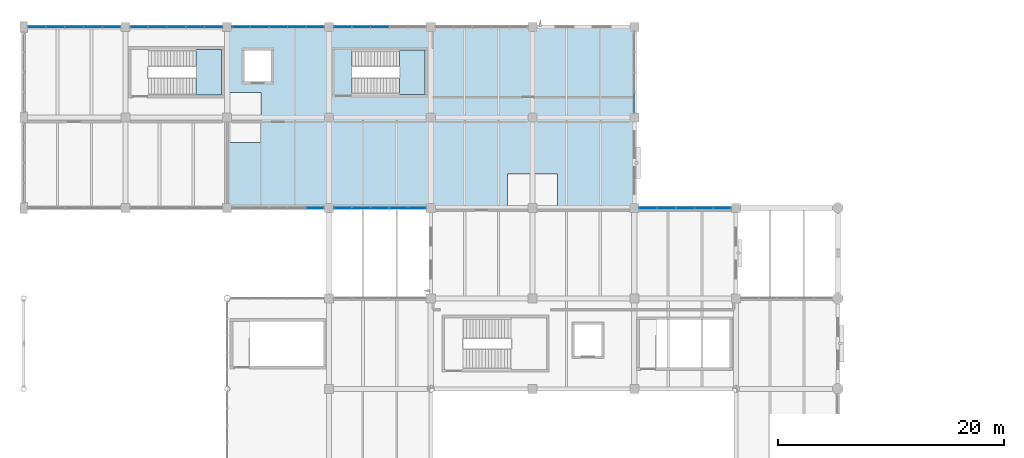
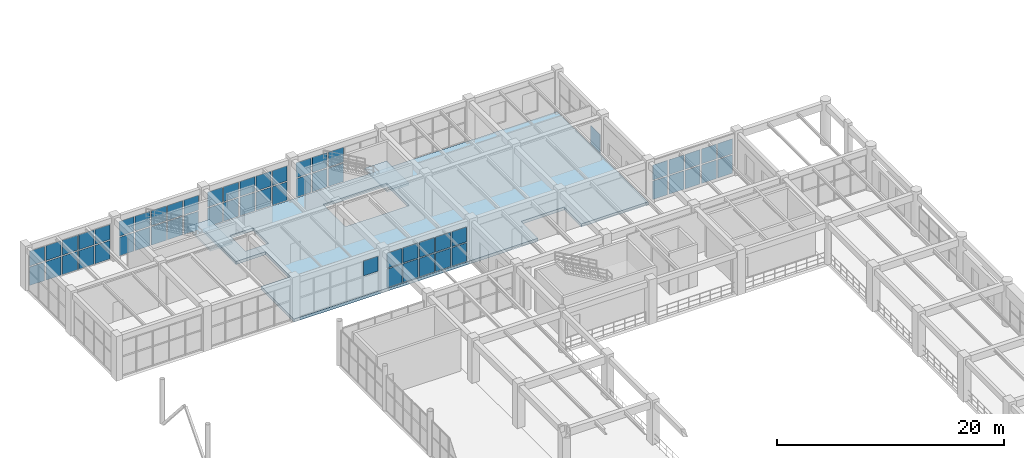
# One storey, part 146 of 178: 58 plates, 3 slabs, 10 elements without a shape of their own.
"""IFC4 building model written with IfcOpenShell, lengths in metres."""

from ifc_helpers import new_model, si_unit, derived_unit, direction, frame, origin, origin_2d, place, context, subcontext, project, spatial, polyline, rectangle, outline, extrude, material, layer, layer_set, type_object, element, aggregate, save


model = new_model("IFC4")

# Units and contexts
model_context = context("Model", 3, precision=1e-05, world=origin(), true_north=direction((0.0, 1.0)))
body_context = subcontext(model_context, "Body", "Model", "MODEL_VIEW")
ifc_project = project(units=[si_unit("LENGTHUNIT", "METRE"), si_unit("AREAUNIT", "SQUARE_METRE"), si_unit("VOLUMEUNIT", "CUBIC_METRE"), si_unit("PLANEANGLEUNIT", "RADIAN"), si_unit("MASSUNIT", "GRAM", prefix="KILO"), derived_unit("THERMALTRANSMITTANCEUNIT", [(si_unit("MASSUNIT", "GRAM", prefix="KILO"), 1), (si_unit("TIMEUNIT", "SECOND"), -3), (si_unit("THERMODYNAMICTEMPERATUREUNIT", "KELVIN"), -1)])], contexts=[model_context])

# Site, building, storey
site_placement = place(None, origin())
site = spatial("IfcSite", under=ifc_project, at=site_placement, CompositionType="ELEMENT")
building_placement = place(site_placement, origin())
building = spatial("IfcBuilding", under=site, at=building_placement, Name="Zhenchuan Archway Interchange", CompositionType="ELEMENT")
storey_placement = place(building_placement, frame((0.0, 0.0, 5.39990234375)))
storey = spatial("IfcBuildingStorey", under=building, at=storey_placement, Name="L01", CompositionType="ELEMENT", Elevation=5.39990234375)

# Curtain wall, plates
ifc_material_1 = material(Name="Anodised Aluminium", Category="aluminium")
curtain_wall_type_1 = type_object("IfcCurtainWallType", Name="CW_UNIT_4", PredefinedType="NOTDEFINED", material=ifc_material_1)
curtain_wall_1_placement = place(storey_placement, origin())
curtain_wall_1 = element("IfcCurtainWall", 1, at=curtain_wall_1_placement, inside=storey, type_object=curtain_wall_type_1, Name="Unitised curtain wall CW:L01:039", PredefinedType="NOTDEFINED")
ifc_material_2 = material(Name="Double Low-E Insulated Glazing", Category="glass")
ifc_layer_1 = layer(ifc_material_2, 0.028076171875)
ifc_layer_set_1 = layer_set([ifc_layer_1], Name="Double Low-E Insulated Glazing")
plate_type_1 = type_object("IfcPlateType", Name="CW_GLZ_1", PredefinedType="CURTAIN_PANEL", material=ifc_layer_set_1)
plate_1_placement = place(storey_placement, frame((34.795654296875, 96.0, 0.080078125), z_axis=(0.0, 0.0, 1.0), x_axis=(-1.0, 0.0, 0.0)))
plate_1 = element("IfcPlate", 2, at=plate_1_placement, type_object=plate_type_1, Name="CW:L01:039 lower glazing panel 0", PredefinedType="CURTAIN_PANEL", context=body_context, shape_type="SweptSolid", body=[
    extrude(rectangle(XDim=1.492919921875, YDim=0.028076171875, at=origin_2d()), origin(), (0.0, 0.0, 1.0), 1.98291015625),
])
plate_2_placement = place(storey_placement, frame((33.15283203125, 96.0, 0.080078125), z_axis=(0.0, 0.0, 1.0), x_axis=(-1.0, 0.0, 0.0)))
plate_2 = element("IfcPlate", 3, at=plate_2_placement, type_object=plate_type_1, Name="CW:L01:039 lower glazing panel 1", PredefinedType="CURTAIN_PANEL", context=body_context, shape_type="SweptSolid", body=[
    extrude(rectangle(XDim=1.5126953125, YDim=0.028076171875, at=origin_2d()), origin(), (0.0, 0.0, 1.0), 1.98291015625),
])
plate_3_placement = place(storey_placement, frame((31.5, 96.0, 0.080078125), z_axis=(0.0, 0.0, 1.0), x_axis=(-1.0, 0.0, 0.0)))
plate_3 = element("IfcPlate", 4, at=plate_3_placement, type_object=plate_type_1, Name="CW:L01:039 lower glazing panel 2", PredefinedType="CURTAIN_PANEL", context=body_context, shape_type="SweptSolid", body=[
    extrude(rectangle(XDim=1.5126953125, YDim=0.028076171875, at=origin_2d()), origin(), (0.0, 0.0, 1.0), 1.98291015625),
])
plate_4_placement = place(storey_placement, frame((29.84716796875, 96.0, 0.080078125), z_axis=(0.0, 0.0, 1.0), x_axis=(-1.0, 0.0, 0.0)))
plate_4 = element("IfcPlate", 5, at=plate_4_placement, type_object=plate_type_1, Name="CW:L01:039 lower glazing panel 3", PredefinedType="CURTAIN_PANEL", context=body_context, shape_type="SweptSolid", body=[
    extrude(rectangle(XDim=1.5126953125, YDim=0.028076171875, at=origin_2d()), origin(), (0.0, 0.0, 1.0), 1.98291015625),
])
plate_5_placement = place(storey_placement, frame((28.204345703125, 96.0, 0.080078125), z_axis=(0.0, 0.0, 1.0), x_axis=(-1.0, 0.0, 0.0)))
plate_5 = element("IfcPlate", 6, at=plate_5_placement, type_object=plate_type_1, Name="CW:L01:039 lower glazing panel 4", PredefinedType="CURTAIN_PANEL", context=body_context, shape_type="SweptSolid", body=[
    extrude(rectangle(XDim=1.492919921875, YDim=0.028076171875, at=origin_2d()), origin(), (0.0, 0.0, 1.0), 1.98291015625),
])

curtain_wall_type_2 = type_object("IfcCurtainWallType", Name="CW_UNIT_2", PredefinedType="NOTDEFINED", material=ifc_material_1)
curtain_wall_2_placement = place(storey_placement, origin())
curtain_wall_2 = element("IfcCurtainWall", 7, at=curtain_wall_2_placement, inside=storey, type_object=curtain_wall_type_2, Name="Unitised curtain wall CW:L01:045", PredefinedType="NOTDEFINED")
plate_6_placement = place(storey_placement, frame((1.136962890625, 112.0, 0.080078125), z_axis=(0.0, 0.0, 1.0), x_axis=(1.0, 0.0, 0.0)))
plate_6 = element("IfcPlate", 8, at=plate_6_placement, type_object=plate_type_1, Name="CW:L01:045 lower glazing panel 0", PredefinedType="CURTAIN_PANEL", context=body_context, shape_type="SweptSolid", body=[
    extrude(rectangle(XDim=1.5078125, YDim=0.028076171875, at=origin_2d()), origin(), (0.0, 0.0, 1.0), 1.98291015625),
])
plate_7_placement = place(storey_placement, frame((2.794677734375, 112.0, 0.080078125), z_axis=(0.0, 0.0, 1.0), x_axis=(1.0, 0.0, 0.0)))
plate_7 = element("IfcPlate", 9, at=plate_7_placement, type_object=plate_type_1, Name="CW:L01:045 lower glazing panel 1", PredefinedType="CURTAIN_PANEL", context=body_context, shape_type="SweptSolid", body=[
    extrude(rectangle(XDim=1.52783203125, YDim=0.028076171875, at=origin_2d()), origin(), (0.0, 0.0, 1.0), 1.98291015625),
])
plate_8_placement = place(storey_placement, frame((4.46240234375, 112.0, 0.080078125), z_axis=(0.0, 0.0, 1.0), x_axis=(1.0, 0.0, 0.0)))
plate_8 = element("IfcPlate", 10, at=plate_8_placement, type_object=plate_type_1, Name="CW:L01:045 lower glazing panel 2", PredefinedType="CURTAIN_PANEL", context=body_context, shape_type="SweptSolid", body=[
    extrude(rectangle(XDim=1.52783203125, YDim=0.028076171875, at=origin_2d()), origin(), (0.0, 0.0, 1.0), 1.98291015625),
])
plate_9_placement = place(storey_placement, frame((6.13037109375, 112.0, 0.080078125), z_axis=(0.0, 0.0, 1.0), x_axis=(1.0, 0.0, 0.0)))
plate_9 = element("IfcPlate", 11, at=plate_9_placement, type_object=plate_type_1, Name="CW:L01:045 lower glazing panel 3", PredefinedType="CURTAIN_PANEL", context=body_context, shape_type="SweptSolid", body=[
    extrude(rectangle(XDim=1.52783203125, YDim=0.028076171875, at=origin_2d()), origin(), (0.0, 0.0, 1.0), 1.98291015625),
])
plate_10_placement = place(storey_placement, frame((7.7880859375, 112.0, 0.080078125), z_axis=(0.0, 0.0, 1.0), x_axis=(1.0, 0.0, 0.0)))
plate_10 = element("IfcPlate", 12, at=plate_10_placement, type_object=plate_type_1, Name="CW:L01:045 lower glazing panel 4", PredefinedType="CURTAIN_PANEL", context=body_context, shape_type="SweptSolid", body=[
    extrude(rectangle(XDim=1.5078125, YDim=0.028076171875, at=origin_2d()), origin(), (0.0, 0.0, 1.0), 1.98291015625),
])

curtain_wall_type_3 = type_object("IfcCurtainWallType", Name="CW_UNIT_3", PredefinedType="NOTDEFINED", material=ifc_material_1)
curtain_wall_3_placement = place(storey_placement, origin())
curtain_wall_3 = element("IfcCurtainWall", 13, at=curtain_wall_3_placement, inside=storey, type_object=curtain_wall_type_3, Name="Unitised curtain wall CW:L01:046", PredefinedType="NOTDEFINED")
plate_11_placement = place(storey_placement, frame((10.204345703125, 112.0, 0.080078125), z_axis=(0.0, 0.0, 1.0), x_axis=(1.0, 0.0, 0.0)))
plate_11 = element("IfcPlate", 14, at=plate_11_placement, type_object=plate_type_1, Name="CW:L01:046 lower glazing panel 0", PredefinedType="CURTAIN_PANEL", context=body_context, shape_type="SweptSolid", body=[
    extrude(rectangle(XDim=1.492919921875, YDim=0.028076171875, at=origin_2d()), origin(), (0.0, 0.0, 1.0), 1.98291015625),
])
plate_12_placement = place(storey_placement, frame((11.84716796875, 112.0, 0.080078125), z_axis=(0.0, 0.0, 1.0), x_axis=(1.0, 0.0, 0.0)))
plate_12 = element("IfcPlate", 15, at=plate_12_placement, type_object=plate_type_1, Name="CW:L01:046 lower glazing panel 1", PredefinedType="CURTAIN_PANEL", context=body_context, shape_type="SweptSolid", body=[
    extrude(rectangle(XDim=1.5126953125, YDim=0.028076171875, at=origin_2d()), origin(), (0.0, 0.0, 1.0), 1.98291015625),
])
plate_13_placement = place(storey_placement, frame((13.5, 112.0, 0.080078125), z_axis=(0.0, 0.0, 1.0), x_axis=(1.0, 0.0, 0.0)))
plate_13 = element("IfcPlate", 16, at=plate_13_placement, type_object=plate_type_1, Name="CW:L01:046 lower glazing panel 2", PredefinedType="CURTAIN_PANEL", context=body_context, shape_type="SweptSolid", body=[
    extrude(rectangle(XDim=1.5126953125, YDim=0.028076171875, at=origin_2d()), origin(), (0.0, 0.0, 1.0), 1.98291015625),
])
plate_14_placement = place(storey_placement, frame((15.15283203125, 112.0, 0.080078125), z_axis=(0.0, 0.0, 1.0), x_axis=(1.0, 0.0, 0.0)))
plate_14 = element("IfcPlate", 17, at=plate_14_placement, type_object=plate_type_1, Name="CW:L01:046 lower glazing panel 3", PredefinedType="CURTAIN_PANEL", context=body_context, shape_type="SweptSolid", body=[
    extrude(rectangle(XDim=1.5126953125, YDim=0.028076171875, at=origin_2d()), origin(), (0.0, 0.0, 1.0), 1.98291015625),
])
plate_15_placement = place(storey_placement, frame((16.795654296875, 112.0, 0.080078125), z_axis=(0.0, 0.0, 1.0), x_axis=(1.0, 0.0, 0.0)))
plate_15 = element("IfcPlate", 18, at=plate_15_placement, type_object=plate_type_1, Name="CW:L01:046 lower glazing panel 4", PredefinedType="CURTAIN_PANEL", context=body_context, shape_type="SweptSolid", body=[
    extrude(rectangle(XDim=1.492919921875, YDim=0.028076171875, at=origin_2d()), origin(), (0.0, 0.0, 1.0), 1.98291015625),
])

curtain_wall_4_placement = place(storey_placement, origin())
curtain_wall_4 = element("IfcCurtainWall", 19, at=curtain_wall_4_placement, inside=storey, type_object=curtain_wall_type_1, Name="Unitised curtain wall CW:L01:047", PredefinedType="NOTDEFINED")
plate_16_placement = place(storey_placement, frame((19.204345703125, 112.0, 0.080078125), z_axis=(0.0, 0.0, 1.0), x_axis=(1.0, 0.0, 0.0)))
plate_16 = element("IfcPlate", 20, at=plate_16_placement, type_object=plate_type_1, Name="CW:L01:047 lower glazing panel 0", PredefinedType="CURTAIN_PANEL", context=body_context, shape_type="SweptSolid", body=[
    extrude(rectangle(XDim=1.492919921875, YDim=0.028076171875, at=origin_2d()), origin(), (0.0, 0.0, 1.0), 1.98291015625),
])
plate_17_placement = place(storey_placement, frame((20.84716796875, 112.0, 0.080078125), z_axis=(0.0, 0.0, 1.0), x_axis=(1.0, 0.0, 0.0)))
plate_17 = element("IfcPlate", 21, at=plate_17_placement, type_object=plate_type_1, Name="CW:L01:047 lower glazing panel 1", PredefinedType="CURTAIN_PANEL", context=body_context, shape_type="SweptSolid", body=[
    extrude(rectangle(XDim=1.5126953125, YDim=0.028076171875, at=origin_2d()), origin(), (0.0, 0.0, 1.0), 1.98291015625),
])
plate_18_placement = place(storey_placement, frame((22.5, 112.0, 0.080078125), z_axis=(0.0, 0.0, 1.0), x_axis=(1.0, 0.0, 0.0)))
plate_18 = element("IfcPlate", 22, at=plate_18_placement, type_object=plate_type_1, Name="CW:L01:047 lower glazing panel 2", PredefinedType="CURTAIN_PANEL", context=body_context, shape_type="SweptSolid", body=[
    extrude(rectangle(XDim=1.5126953125, YDim=0.028076171875, at=origin_2d()), origin(), (0.0, 0.0, 1.0), 1.98291015625),
])
plate_19_placement = place(storey_placement, frame((24.15283203125, 112.0, 0.080078125), z_axis=(0.0, 0.0, 1.0), x_axis=(1.0, 0.0, 0.0)))
plate_19 = element("IfcPlate", 23, at=plate_19_placement, type_object=plate_type_1, Name="CW:L01:047 lower glazing panel 3", PredefinedType="CURTAIN_PANEL", context=body_context, shape_type="SweptSolid", body=[
    extrude(rectangle(XDim=1.5126953125, YDim=0.028076171875, at=origin_2d()), origin(), (0.0, 0.0, 1.0), 1.98291015625),
])
plate_20_placement = place(storey_placement, frame((25.795654296875, 112.0, 0.080078125), z_axis=(0.0, 0.0, 1.0), x_axis=(1.0, 0.0, 0.0)))
plate_20 = element("IfcPlate", 24, at=plate_20_placement, type_object=plate_type_1, Name="CW:L01:047 lower glazing panel 4", PredefinedType="CURTAIN_PANEL", context=body_context, shape_type="SweptSolid", body=[
    extrude(rectangle(XDim=1.492919921875, YDim=0.028076171875, at=origin_2d()), origin(), (0.0, 0.0, 1.0), 1.98291015625),
])

curtain_wall_type_4 = type_object("IfcCurtainWallType", Name="CW_UNIT_1", PredefinedType="NOTDEFINED", material=ifc_material_1)
curtain_wall_5_placement = place(storey_placement, origin())
curtain_wall_5 = element("IfcCurtainWall", 25, at=curtain_wall_5_placement, inside=storey, type_object=curtain_wall_type_4, Name="Unitised curtain wall CW:L01:048", PredefinedType="NOTDEFINED")
plate_21_placement = place(storey_placement, frame((28.204345703125, 112.0, 0.080078125), z_axis=(0.0, 0.0, 1.0), x_axis=(1.0, 0.0, 0.0)))
plate_21 = element("IfcPlate", 26, at=plate_21_placement, type_object=plate_type_1, Name="CW:L01:048 lower glazing panel 0", PredefinedType="CURTAIN_PANEL", context=body_context, shape_type="SweptSolid", body=[
    extrude(rectangle(XDim=1.492919921875, YDim=0.028076171875, at=origin_2d()), origin(), (0.0, 0.0, 1.0), 1.98291015625),
])
plate_22_placement = place(storey_placement, frame((29.84716796875, 112.0, 0.080078125), z_axis=(0.0, 0.0, 1.0), x_axis=(1.0, 0.0, 0.0)))
plate_22 = element("IfcPlate", 27, at=plate_22_placement, type_object=plate_type_1, Name="CW:L01:048 lower glazing panel 1", PredefinedType="CURTAIN_PANEL", context=body_context, shape_type="SweptSolid", body=[
    extrude(rectangle(XDim=1.5126953125, YDim=0.028076171875, at=origin_2d()), origin(), (0.0, 0.0, 1.0), 1.98291015625),
])
plate_23_placement = place(storey_placement, frame((31.5, 112.0, 0.080078125), z_axis=(0.0, 0.0, 1.0), x_axis=(1.0, 0.0, 0.0)))
plate_23 = element("IfcPlate", 28, at=plate_23_placement, type_object=plate_type_1, Name="CW:L01:048 lower glazing panel 2", PredefinedType="CURTAIN_PANEL", context=body_context, shape_type="SweptSolid", body=[
    extrude(rectangle(XDim=1.5126953125, YDim=0.028076171875, at=origin_2d()), origin(), (0.0, 0.0, 1.0), 1.98291015625),
])

curtain_wall_6_placement = place(storey_placement, origin())
curtain_wall_6 = element("IfcCurtainWall", 29, at=curtain_wall_6_placement, inside=storey, type_object=curtain_wall_type_1, Name="Unitised curtain wall CW:L01:051", PredefinedType="NOTDEFINED")
plate_24_placement = place(storey_placement, frame((55.204345703125, 96.0, 0.080078125), z_axis=(0.0, 0.0, 1.0), x_axis=(1.0, 0.0, 0.0)))
plate_24 = element("IfcPlate", 30, at=plate_24_placement, type_object=plate_type_1, Name="CW:L01:051 lower glazing panel 0", PredefinedType="CURTAIN_PANEL", context=body_context, shape_type="SweptSolid", body=[
    extrude(rectangle(XDim=1.492919921875, YDim=0.028076171875, at=origin_2d()), origin(), (0.0, 0.0, 1.0), 1.98291015625),
])
plate_25_placement = place(storey_placement, frame((56.84716796875, 96.0, 0.080078125), z_axis=(0.0, 0.0, 1.0), x_axis=(1.0, 0.0, 0.0)))
plate_25 = element("IfcPlate", 31, at=plate_25_placement, type_object=plate_type_1, Name="CW:L01:051 lower glazing panel 1", PredefinedType="CURTAIN_PANEL", context=body_context, shape_type="SweptSolid", body=[
    extrude(rectangle(XDim=1.5126953125, YDim=0.028076171875, at=origin_2d()), origin(), (0.0, 0.0, 1.0), 1.98291015625),
])
plate_26_placement = place(storey_placement, frame((58.5, 96.0, 0.080078125), z_axis=(0.0, 0.0, 1.0), x_axis=(1.0, 0.0, 0.0)))
plate_26 = element("IfcPlate", 32, at=plate_26_placement, type_object=plate_type_1, Name="CW:L01:051 lower glazing panel 2", PredefinedType="CURTAIN_PANEL", context=body_context, shape_type="SweptSolid", body=[
    extrude(rectangle(XDim=1.5126953125, YDim=0.028076171875, at=origin_2d()), origin(), (0.0, 0.0, 1.0), 1.98291015625),
])
plate_27_placement = place(storey_placement, frame((60.15283203125, 96.0, 0.080078125), z_axis=(0.0, 0.0, 1.0), x_axis=(1.0, 0.0, 0.0)))
plate_27 = element("IfcPlate", 33, at=plate_27_placement, type_object=plate_type_1, Name="CW:L01:051 lower glazing panel 3", PredefinedType="CURTAIN_PANEL", context=body_context, shape_type="SweptSolid", body=[
    extrude(rectangle(XDim=1.5126953125, YDim=0.028076171875, at=origin_2d()), origin(), (0.0, 0.0, 1.0), 1.98291015625),
])
plate_28_placement = place(storey_placement, frame((61.795654296875, 96.0, 0.080078125), z_axis=(0.0, 0.0, 1.0), x_axis=(1.0, 0.0, 0.0)))
plate_28 = element("IfcPlate", 34, at=plate_28_placement, type_object=plate_type_1, Name="CW:L01:051 lower glazing panel 4", PredefinedType="CURTAIN_PANEL", context=body_context, shape_type="SweptSolid", body=[
    extrude(rectangle(XDim=1.492919921875, YDim=0.028076171875, at=origin_2d()), origin(), (0.0, 0.0, 1.0), 1.98291015625),
])

# Plate
ifc_layer_2 = layer(ifc_material_2, 0.02587890625)
ifc_layer_set_2 = layer_set([ifc_layer_2], Name="Double Low-E Insulated Glazing")
plate_type_2 = type_object("IfcPlateType", Name="CW_GLZ_2", PredefinedType="CURTAIN_PANEL", material=ifc_layer_set_2)
plate_29_placement = place(storey_placement, frame((34.795654296875, 96.0, 2.18310546875), z_axis=(0.0, 0.0, 1.0), x_axis=(-1.0, 0.0, 0.0)))
plate_29 = element("IfcPlate", 35, at=plate_29_placement, type_object=plate_type_2, Name="CW:L01:039 upper glazing panel 0", PredefinedType="CURTAIN_PANEL", context=body_context, shape_type="SweptSolid", body=[
    extrude(rectangle(XDim=1.492919921875, YDim=0.02587890625, at=origin_2d()), origin(), (0.0, 0.0, 1.0), 1.596923828125),
])

plate_30_placement = place(storey_placement, frame((33.15283203125, 96.0, 2.18310546875), z_axis=(0.0, 0.0, 1.0), x_axis=(-1.0, 0.0, 0.0)))
plate_30 = element("IfcPlate", 36, at=plate_30_placement, type_object=plate_type_2, Name="CW:L01:039 upper glazing panel 1", PredefinedType="CURTAIN_PANEL", context=body_context, shape_type="SweptSolid", body=[
    extrude(rectangle(XDim=1.5126953125, YDim=0.02587890625, at=origin_2d()), origin(), (0.0, 0.0, 1.0), 1.596923828125),
])

plate_31_placement = place(storey_placement, frame((31.5, 96.0, 2.18310546875), z_axis=(0.0, 0.0, 1.0), x_axis=(-1.0, 0.0, 0.0)))
plate_31 = element("IfcPlate", 37, at=plate_31_placement, type_object=plate_type_2, Name="CW:L01:039 upper glazing panel 2", PredefinedType="CURTAIN_PANEL", context=body_context, shape_type="SweptSolid", body=[
    extrude(rectangle(XDim=1.5126953125, YDim=0.02587890625, at=origin_2d()), origin(), (0.0, 0.0, 1.0), 1.596923828125),
])

plate_32_placement = place(storey_placement, frame((29.84716796875, 96.0, 2.18310546875), z_axis=(0.0, 0.0, 1.0), x_axis=(-1.0, 0.0, 0.0)))
plate_32 = element("IfcPlate", 38, at=plate_32_placement, type_object=plate_type_2, Name="CW:L01:039 upper glazing panel 3", PredefinedType="CURTAIN_PANEL", context=body_context, shape_type="SweptSolid", body=[
    extrude(rectangle(XDim=1.5126953125, YDim=0.02587890625, at=origin_2d()), origin(), (0.0, 0.0, 1.0), 1.596923828125),
])

plate_33_placement = place(storey_placement, frame((28.204345703125, 96.0, 2.18310546875), z_axis=(0.0, 0.0, 1.0), x_axis=(-1.0, 0.0, 0.0)))
plate_33 = element("IfcPlate", 39, at=plate_33_placement, type_object=plate_type_2, Name="CW:L01:039 upper glazing panel 4", PredefinedType="CURTAIN_PANEL", context=body_context, shape_type="SweptSolid", body=[
    extrude(rectangle(XDim=1.492919921875, YDim=0.02587890625, at=origin_2d()), origin(), (0.0, 0.0, 1.0), 1.596923828125),
])

aggregate(curtain_wall_1, [plate_1, plate_29, plate_2, plate_30, plate_3, plate_31, plate_4, plate_32, plate_5, plate_33])

# Curtain wall, plate
curtain_wall_7_placement = place(storey_placement, origin())
curtain_wall_7 = element("IfcCurtainWall", 40, at=curtain_wall_7_placement, inside=storey, type_object=curtain_wall_type_4, Name="Unitised curtain wall CW:L01:040", PredefinedType="NOTDEFINED")
plate_34_placement = place(storey_placement, frame((25.795654296875, 96.0, 2.18310546875), z_axis=(0.0, 0.0, 1.0), x_axis=(-1.0, 0.0, 0.0)))
plate_34 = element("IfcPlate", 41, at=plate_34_placement, type_object=plate_type_2, Name="CW:L01:040 upper glazing panel 0", PredefinedType="CURTAIN_PANEL", context=body_context, shape_type="SweptSolid", body=[
    extrude(rectangle(XDim=1.492919921875, YDim=0.02587890625, at=origin_2d()), origin(), (0.0, 0.0, 1.0), 1.596923828125),
])
aggregate(curtain_wall_7, [plate_34])

# Plate
plate_35_placement = place(storey_placement, frame((1.136962890625, 112.0, 2.18310546875), z_axis=(0.0, 0.0, 1.0), x_axis=(1.0, 0.0, 0.0)))
plate_35 = element("IfcPlate", 42, at=plate_35_placement, type_object=plate_type_2, Name="CW:L01:045 upper glazing panel 0", PredefinedType="CURTAIN_PANEL", context=body_context, shape_type="SweptSolid", body=[
    extrude(rectangle(XDim=1.5078125, YDim=0.02587890625, at=origin_2d()), origin(), (0.0, 0.0, 1.0), 1.596923828125),
])

plate_36_placement = place(storey_placement, frame((2.794677734375, 112.0, 2.18310546875), z_axis=(0.0, 0.0, 1.0), x_axis=(1.0, 0.0, 0.0)))
plate_36 = element("IfcPlate", 43, at=plate_36_placement, type_object=plate_type_2, Name="CW:L01:045 upper glazing panel 1", PredefinedType="CURTAIN_PANEL", context=body_context, shape_type="SweptSolid", body=[
    extrude(rectangle(XDim=1.52783203125, YDim=0.02587890625, at=origin_2d()), origin(), (0.0, 0.0, 1.0), 1.596923828125),
])

plate_37_placement = place(storey_placement, frame((4.46240234375, 112.0, 2.18310546875), z_axis=(0.0, 0.0, 1.0), x_axis=(1.0, 0.0, 0.0)))
plate_37 = element("IfcPlate", 44, at=plate_37_placement, type_object=plate_type_2, Name="CW:L01:045 upper glazing panel 2", PredefinedType="CURTAIN_PANEL", context=body_context, shape_type="SweptSolid", body=[
    extrude(rectangle(XDim=1.52783203125, YDim=0.02587890625, at=origin_2d()), origin(), (0.0, 0.0, 1.0), 1.596923828125),
])

plate_38_placement = place(storey_placement, frame((6.13037109375, 112.0, 2.18310546875), z_axis=(0.0, 0.0, 1.0), x_axis=(1.0, 0.0, 0.0)))
plate_38 = element("IfcPlate", 45, at=plate_38_placement, type_object=plate_type_2, Name="CW:L01:045 upper glazing panel 3", PredefinedType="CURTAIN_PANEL", context=body_context, shape_type="SweptSolid", body=[
    extrude(rectangle(XDim=1.52783203125, YDim=0.02587890625, at=origin_2d()), origin(), (0.0, 0.0, 1.0), 1.596923828125),
])

plate_39_placement = place(storey_placement, frame((7.7880859375, 112.0, 2.18310546875), z_axis=(0.0, 0.0, 1.0), x_axis=(1.0, 0.0, 0.0)))
plate_39 = element("IfcPlate", 46, at=plate_39_placement, type_object=plate_type_2, Name="CW:L01:045 upper glazing panel 4", PredefinedType="CURTAIN_PANEL", context=body_context, shape_type="SweptSolid", body=[
    extrude(rectangle(XDim=1.5078125, YDim=0.02587890625, at=origin_2d()), origin(), (0.0, 0.0, 1.0), 1.596923828125),
])

aggregate(curtain_wall_2, [plate_6, plate_35, plate_7, plate_36, plate_8, plate_37, plate_9, plate_38, plate_10, plate_39])

plate_40_placement = place(storey_placement, frame((10.204345703125, 112.0, 2.18310546875), z_axis=(0.0, 0.0, 1.0), x_axis=(1.0, 0.0, 0.0)))
plate_40 = element("IfcPlate", 47, at=plate_40_placement, type_object=plate_type_2, Name="CW:L01:046 upper glazing panel 0", PredefinedType="CURTAIN_PANEL", context=body_context, shape_type="SweptSolid", body=[
    extrude(rectangle(XDim=1.492919921875, YDim=0.02587890625, at=origin_2d()), origin(), (0.0, 0.0, 1.0), 1.596923828125),
])

plate_41_placement = place(storey_placement, frame((11.84716796875, 112.0, 2.18310546875), z_axis=(0.0, 0.0, 1.0), x_axis=(1.0, 0.0, 0.0)))
plate_41 = element("IfcPlate", 48, at=plate_41_placement, type_object=plate_type_2, Name="CW:L01:046 upper glazing panel 1", PredefinedType="CURTAIN_PANEL", context=body_context, shape_type="SweptSolid", body=[
    extrude(rectangle(XDim=1.5126953125, YDim=0.02587890625, at=origin_2d()), origin(), (0.0, 0.0, 1.0), 1.596923828125),
])

plate_42_placement = place(storey_placement, frame((13.5, 112.0, 2.18310546875), z_axis=(0.0, 0.0, 1.0), x_axis=(1.0, 0.0, 0.0)))
plate_42 = element("IfcPlate", 49, at=plate_42_placement, type_object=plate_type_2, Name="CW:L01:046 upper glazing panel 2", PredefinedType="CURTAIN_PANEL", context=body_context, shape_type="SweptSolid", body=[
    extrude(rectangle(XDim=1.5126953125, YDim=0.02587890625, at=origin_2d()), origin(), (0.0, 0.0, 1.0), 1.596923828125),
])

plate_43_placement = place(storey_placement, frame((15.15283203125, 112.0, 2.18310546875), z_axis=(0.0, 0.0, 1.0), x_axis=(1.0, 0.0, 0.0)))
plate_43 = element("IfcPlate", 50, at=plate_43_placement, type_object=plate_type_2, Name="CW:L01:046 upper glazing panel 3", PredefinedType="CURTAIN_PANEL", context=body_context, shape_type="SweptSolid", body=[
    extrude(rectangle(XDim=1.5126953125, YDim=0.02587890625, at=origin_2d()), origin(), (0.0, 0.0, 1.0), 1.596923828125),
])

plate_44_placement = place(storey_placement, frame((16.795654296875, 112.0, 2.18310546875), z_axis=(0.0, 0.0, 1.0), x_axis=(1.0, 0.0, 0.0)))
plate_44 = element("IfcPlate", 51, at=plate_44_placement, type_object=plate_type_2, Name="CW:L01:046 upper glazing panel 4", PredefinedType="CURTAIN_PANEL", context=body_context, shape_type="SweptSolid", body=[
    extrude(rectangle(XDim=1.492919921875, YDim=0.02587890625, at=origin_2d()), origin(), (0.0, 0.0, 1.0), 1.596923828125),
])

aggregate(curtain_wall_3, [plate_11, plate_40, plate_12, plate_41, plate_13, plate_42, plate_14, plate_43, plate_15, plate_44])

plate_45_placement = place(storey_placement, frame((19.204345703125, 112.0, 2.18310546875), z_axis=(0.0, 0.0, 1.0), x_axis=(1.0, 0.0, 0.0)))
plate_45 = element("IfcPlate", 52, at=plate_45_placement, type_object=plate_type_2, Name="CW:L01:047 upper glazing panel 0", PredefinedType="CURTAIN_PANEL", context=body_context, shape_type="SweptSolid", body=[
    extrude(rectangle(XDim=1.492919921875, YDim=0.02587890625, at=origin_2d()), origin(), (0.0, 0.0, 1.0), 1.596923828125),
])

plate_46_placement = place(storey_placement, frame((20.84716796875, 112.0, 2.18310546875), z_axis=(0.0, 0.0, 1.0), x_axis=(1.0, 0.0, 0.0)))
plate_46 = element("IfcPlate", 53, at=plate_46_placement, type_object=plate_type_2, Name="CW:L01:047 upper glazing panel 1", PredefinedType="CURTAIN_PANEL", context=body_context, shape_type="SweptSolid", body=[
    extrude(rectangle(XDim=1.5126953125, YDim=0.02587890625, at=origin_2d()), origin(), (0.0, 0.0, 1.0), 1.596923828125),
])

plate_47_placement = place(storey_placement, frame((22.5, 112.0, 2.18310546875), z_axis=(0.0, 0.0, 1.0), x_axis=(1.0, 0.0, 0.0)))
plate_47 = element("IfcPlate", 54, at=plate_47_placement, type_object=plate_type_2, Name="CW:L01:047 upper glazing panel 2", PredefinedType="CURTAIN_PANEL", context=body_context, shape_type="SweptSolid", body=[
    extrude(rectangle(XDim=1.5126953125, YDim=0.02587890625, at=origin_2d()), origin(), (0.0, 0.0, 1.0), 1.596923828125),
])

plate_48_placement = place(storey_placement, frame((24.15283203125, 112.0, 2.18310546875), z_axis=(0.0, 0.0, 1.0), x_axis=(1.0, 0.0, 0.0)))
plate_48 = element("IfcPlate", 55, at=plate_48_placement, type_object=plate_type_2, Name="CW:L01:047 upper glazing panel 3", PredefinedType="CURTAIN_PANEL", context=body_context, shape_type="SweptSolid", body=[
    extrude(rectangle(XDim=1.5126953125, YDim=0.02587890625, at=origin_2d()), origin(), (0.0, 0.0, 1.0), 1.596923828125),
])

plate_49_placement = place(storey_placement, frame((25.795654296875, 112.0, 2.18310546875), z_axis=(0.0, 0.0, 1.0), x_axis=(1.0, 0.0, 0.0)))
plate_49 = element("IfcPlate", 56, at=plate_49_placement, type_object=plate_type_2, Name="CW:L01:047 upper glazing panel 4", PredefinedType="CURTAIN_PANEL", context=body_context, shape_type="SweptSolid", body=[
    extrude(rectangle(XDim=1.492919921875, YDim=0.02587890625, at=origin_2d()), origin(), (0.0, 0.0, 1.0), 1.596923828125),
])

aggregate(curtain_wall_4, [plate_16, plate_45, plate_17, plate_46, plate_18, plate_47, plate_19, plate_48, plate_20, plate_49])

plate_50_placement = place(storey_placement, frame((28.204345703125, 112.0, 2.18310546875), z_axis=(0.0, 0.0, 1.0), x_axis=(1.0, 0.0, 0.0)))
plate_50 = element("IfcPlate", 57, at=plate_50_placement, type_object=plate_type_2, Name="CW:L01:048 upper glazing panel 0", PredefinedType="CURTAIN_PANEL", context=body_context, shape_type="SweptSolid", body=[
    extrude(rectangle(XDim=1.492919921875, YDim=0.02587890625, at=origin_2d()), origin(), (0.0, 0.0, 1.0), 1.596923828125),
])

plate_51_placement = place(storey_placement, frame((29.84716796875, 112.0, 2.18310546875), z_axis=(0.0, 0.0, 1.0), x_axis=(1.0, 0.0, 0.0)))
plate_51 = element("IfcPlate", 58, at=plate_51_placement, type_object=plate_type_2, Name="CW:L01:048 upper glazing panel 1", PredefinedType="CURTAIN_PANEL", context=body_context, shape_type="SweptSolid", body=[
    extrude(rectangle(XDim=1.5126953125, YDim=0.02587890625, at=origin_2d()), origin(), (0.0, 0.0, 1.0), 1.596923828125),
])

plate_52_placement = place(storey_placement, frame((31.5, 112.0, 2.18310546875), z_axis=(0.0, 0.0, 1.0), x_axis=(1.0, 0.0, 0.0)))
plate_52 = element("IfcPlate", 59, at=plate_52_placement, type_object=plate_type_2, Name="CW:L01:048 upper glazing panel 2", PredefinedType="CURTAIN_PANEL", context=body_context, shape_type="SweptSolid", body=[
    extrude(rectangle(XDim=1.5126953125, YDim=0.02587890625, at=origin_2d()), origin(), (0.0, 0.0, 1.0), 1.596923828125),
])

aggregate(curtain_wall_5, [plate_21, plate_50, plate_22, plate_51, plate_23, plate_52])

plate_53_placement = place(storey_placement, frame((55.204345703125, 96.0, 2.18310546875), z_axis=(0.0, 0.0, 1.0), x_axis=(1.0, 0.0, 0.0)))
plate_53 = element("IfcPlate", 60, at=plate_53_placement, type_object=plate_type_2, Name="CW:L01:051 upper glazing panel 0", PredefinedType="CURTAIN_PANEL", context=body_context, shape_type="SweptSolid", body=[
    extrude(rectangle(XDim=1.492919921875, YDim=0.02587890625, at=origin_2d()), origin(), (0.0, 0.0, 1.0), 1.596923828125),
])

plate_54_placement = place(storey_placement, frame((56.84716796875, 96.0, 2.18310546875), z_axis=(0.0, 0.0, 1.0), x_axis=(1.0, 0.0, 0.0)))
plate_54 = element("IfcPlate", 61, at=plate_54_placement, type_object=plate_type_2, Name="CW:L01:051 upper glazing panel 1", PredefinedType="CURTAIN_PANEL", context=body_context, shape_type="SweptSolid", body=[
    extrude(rectangle(XDim=1.5126953125, YDim=0.02587890625, at=origin_2d()), origin(), (0.0, 0.0, 1.0), 1.596923828125),
])

plate_55_placement = place(storey_placement, frame((58.5, 96.0, 2.18310546875), z_axis=(0.0, 0.0, 1.0), x_axis=(1.0, 0.0, 0.0)))
plate_55 = element("IfcPlate", 62, at=plate_55_placement, type_object=plate_type_2, Name="CW:L01:051 upper glazing panel 2", PredefinedType="CURTAIN_PANEL", context=body_context, shape_type="SweptSolid", body=[
    extrude(rectangle(XDim=1.5126953125, YDim=0.02587890625, at=origin_2d()), origin(), (0.0, 0.0, 1.0), 1.596923828125),
])

plate_56_placement = place(storey_placement, frame((60.15283203125, 96.0, 2.18310546875), z_axis=(0.0, 0.0, 1.0), x_axis=(1.0, 0.0, 0.0)))
plate_56 = element("IfcPlate", 63, at=plate_56_placement, type_object=plate_type_2, Name="CW:L01:051 upper glazing panel 3", PredefinedType="CURTAIN_PANEL", context=body_context, shape_type="SweptSolid", body=[
    extrude(rectangle(XDim=1.5126953125, YDim=0.02587890625, at=origin_2d()), origin(), (0.0, 0.0, 1.0), 1.596923828125),
])

plate_57_placement = place(storey_placement, frame((61.795654296875, 96.0, 2.18310546875), z_axis=(0.0, 0.0, 1.0), x_axis=(1.0, 0.0, 0.0)))
plate_57 = element("IfcPlate", 64, at=plate_57_placement, type_object=plate_type_2, Name="CW:L01:051 upper glazing panel 4", PredefinedType="CURTAIN_PANEL", context=body_context, shape_type="SweptSolid", body=[
    extrude(rectangle(XDim=1.492919921875, YDim=0.02587890625, at=origin_2d()), origin(), (0.0, 0.0, 1.0), 1.596923828125),
])

aggregate(curtain_wall_6, [plate_24, plate_53, plate_25, plate_54, plate_26, plate_55, plate_27, plate_56, plate_28, plate_57])

# Curtain wall, plate
curtain_wall_8_placement = place(storey_placement, origin())
curtain_wall_8 = element("IfcCurtainWall", 65, at=curtain_wall_8_placement, inside=storey, type_object=curtain_wall_type_3, Name="Unitised curtain wall CW:L01:050", PredefinedType="NOTDEFINED")
ifc_layer_3 = layer(ifc_material_2, 0.030029296875)
ifc_layer_set_3 = layer_set([ifc_layer_3], Name="Double Low-E Insulated Glazing")
plate_type_3 = type_object("IfcPlateType", Name="CW_GLZ_3", PredefinedType="CURTAIN_PANEL", material=ifc_layer_set_3)
plate_58_placement = place(storey_placement, frame((54.0, 105.285888671875, 0.080078125), z_axis=(0.0, 0.0, 1.0), x_axis=(0.0, -1.0, 0.0)))
plate_58 = element("IfcPlate", 66, at=plate_58_placement, type_object=plate_type_3, Name="CW:L01:050 lower glazing panel 3", PredefinedType="CURTAIN_PANEL", context=body_context, shape_type="SweptSolid", body=[
    extrude(rectangle(XDim=1.656005859375, YDim=0.028076171875, at=origin_2d()), origin(), (0.0, 0.0, 1.0), 1.98291015625),
])
aggregate(curtain_wall_8, [plate_58])

# Slab
ifc_material_3 = material(Name="Concrete C40", Category="concrete")
ifc_layer_4 = layer(ifc_material_3, 0.320068359375)
ifc_layer_set_4 = layer_set([ifc_layer_4], Name="Concrete C40")
slab_type_1 = type_object("IfcSlabType", Name="SLB_FLR_320", PredefinedType="FLOOR", material=ifc_layer_set_4)
slab_1_placement = place(storey_placement, frame((0.0, 0.0, -0.31982421875)))
element("IfcSlab", 67, at=slab_1_placement, inside=storey, type_object=slab_type_1, Name="Structural slab L01 TRM-E", PredefinedType="FLOOR", context=body_context, shape_type="SweptSolid", body=[
    extrude(outline(polyline([(21.0, 106.199951171875), (18.0, 106.199951171875), (18.0, 112.0), (54.0, 112.0), (54.0, 96.0), (47.199951171875, 96.0), (47.199951171875, 99.0), (42.800048828125, 99.0), (42.800048828125, 96.0), (18.0, 96.0), (18.0, 101.800048828125), (21.0, 101.800048828125), (21.0, 106.199951171875)]), holes=[polyline([(35.4951171875, 109.97509765625), (29.02490234375, 109.97509765625), (29.02490234375, 106.02490234375), (35.4951171875, 106.02490234375), (35.4951171875, 109.97509765625)]), polyline([(21.8798828125, 107.169921875), (21.8798828125, 109.929931640625), (19.52001953125, 109.929931640625), (19.52001953125, 107.169921875), (21.8798828125, 107.169921875)])]), origin(), (0.0, 0.0, 1.0), 0.31982421875),
])

# Stair, slab
ifc_material_4 = material(Name="Concrete C35", Category="concrete")
stair_type_1 = type_object("IfcStairType", Name="STR_HALF_1500", PredefinedType="HALF_TURN_STAIR", material=ifc_material_4)
stair_1_placement = place(storey_placement, origin())
stair_1 = element("IfcStair", 68, at=stair_1_placement, inside=storey, type_object=stair_type_1, Name="Stair ST-W1 (L01)", PredefinedType="HALF_TURN_STAIR")
ifc_layer_5 = layer(ifc_material_4, 0.199951171875)
ifc_layer_set_5 = layer_set([ifc_layer_5], Name="Concrete C35")
slab_type_2 = type_object("IfcSlabType", Name="SLB_LANDING_200", PredefinedType="LANDING", material=ifc_layer_set_5)
slab_2_placement = place(storey_placement, frame((0.0, 0.0, 2.2001953125)))
slab_2 = element("IfcSlab", 69, at=slab_2_placement, type_object=slab_type_2, Name="Stair ST-W1 half-landing (L01)", PredefinedType="LANDING", context=body_context, shape_type="SweptSolid", body=[
    extrude(outline(polyline([(15.2451171875, 105.972900390625), (17.4970703125, 105.972900390625), (17.4970703125, 110.027099609375), (15.2451171875, 110.027099609375), (15.2451171875, 105.972900390625)])), origin(), (0.0, 0.0, 1.0), 0.199951171875),
])
aggregate(stair_1, [slab_2])

stair_type_2 = type_object("IfcStairType", Name="STR_HALF_1450", PredefinedType="HALF_TURN_STAIR", material=ifc_material_4)
stair_2_placement = place(storey_placement, origin())
stair_2 = element("IfcStair", 70, at=stair_2_placement, inside=storey, type_object=stair_type_2, Name="Stair ST-W2 (L01)", PredefinedType="HALF_TURN_STAIR")
slab_3_placement = place(storey_placement, frame((0.0, 0.0, 2.2001953125)))
slab_3 = element("IfcSlab", 71, at=slab_3_placement, type_object=slab_type_2, Name="Stair ST-W2 half-landing (L01)", PredefinedType="LANDING", context=body_context, shape_type="SweptSolid", body=[
    extrude(outline(polyline([(33.2451171875, 106.02294921875), (35.4970703125, 106.02294921875), (35.4970703125, 109.97705078125), (33.2451171875, 109.97705078125), (33.2451171875, 106.02294921875)])), origin(), (0.0, 0.0, 1.0), 0.199951171875),
])
aggregate(stair_2, [slab_3])

save(model, "model.ifc")
